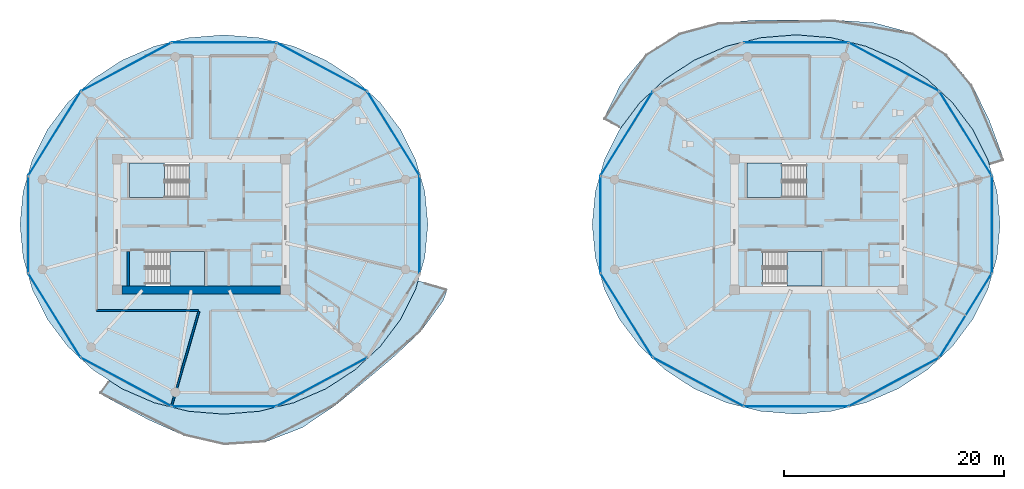
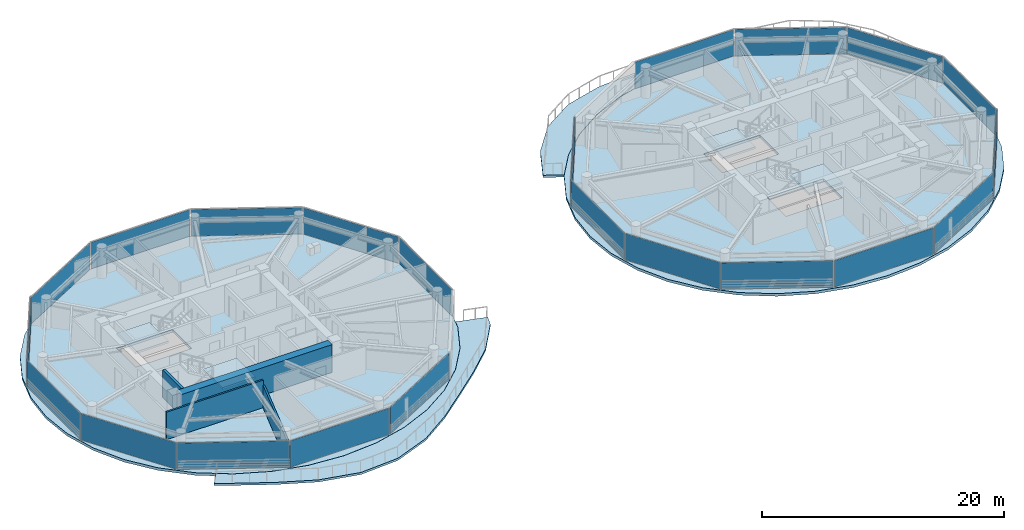
# One storey, part 12 of 24: 22 plates, 8 slabs, 4 walls, 26 elements without a shape of their own.
"""IFC4 building model written with IfcOpenShell, lengths in metres."""

from ifc_helpers import new_model, si_unit, direction, frame, frame_2d, origin, origin_2d, place, context, subcontext, project, spatial, polyline, rectangle, outline, extrude, source, transform, mapped, material, layer, layer_set, type_object, type_shapes, element, aggregate, save


model = new_model("IFC4")

# Units and contexts
model_context = context("Model", 3, precision=1e-05, world=origin(), true_north=direction((0.0, 1.0)))
body_context = subcontext(model_context, "Body", "Model", "MODEL_VIEW")
ifc_project = project(units=[si_unit("LENGTHUNIT", "METRE"), si_unit("AREAUNIT", "SQUARE_METRE"), si_unit("VOLUMEUNIT", "CUBIC_METRE"), si_unit("PLANEANGLEUNIT", "RADIAN"), si_unit("MASSUNIT", "GRAM", prefix="KILO")], contexts=[model_context])

# Site, building, storey
site_placement = place(None, origin())
site = spatial("IfcSite", under=ifc_project, at=site_placement, CompositionType="ELEMENT")
building_placement = place(site_placement, origin())
building = spatial("IfcBuilding", under=site, at=building_placement, Name="Norrkilde Senior Care Towers", CompositionType="ELEMENT")
storey_placement = place(building_placement, frame((0.0, 0.0, 114.550048828125)))
storey = spatial("IfcBuildingStorey", under=building, at=storey_placement, Name="L35", CompositionType="ELEMENT", Elevation=114.550048828125)

# Slabs
ifc_material_1 = material(Name="Concrete C50/60", Category="concrete")
ifc_layer_1 = layer(ifc_material_1, 0.215087890625)
ifc_layer_set_1 = layer_set([ifc_layer_1], Name="Concrete C50/60")
slab_type_1 = type_object("IfcSlabType", Name="Sinusoidal Balcony Ribbon Slab 215", PredefinedType="FLOOR", material=ifc_layer_set_1)
slab_1_placement = place(storey_placement, frame((0.0, 0.0, -0.215087890625)))
element("IfcSlab", 1, at=slab_1_placement, inside=storey, type_object=slab_type_1, Name="L35 Drum W Swirling Senior Balcony 1", PredefinedType="FLOOR", context=body_context, shape_type="SweptSolid", body=[
    extrude(outline(polyline([(-8.123291015625, -9.720947265625), (-10.641357421875, -12.08203125), (-13.220703125, -14.249755859375), (-15.878173828125, -16.426513671875), (-18.8564453125, -18.4267578125), (-22.27587890625, -19.75439453125), (-25.949951171875, -19.99609375), (-29.528076171875, -19.16845703125), (-32.798828125, -17.70361328125), (-35.83837890625, -16.085205078125), (-37.2705078125, -15.3095703125), (-36.39404296875, -14.124267578125), (-35.202392578125, -14.89990234375), (-32.279052734375, -16.16748046875), (-29.163330078125, -16.943603515625), (-25.949951171875, -17.205078125), (-22.736572265625, -16.943603515625), (-19.620849609375, -16.16748046875), (-16.697509765625, -14.89990234375), (-14.05517578125, -13.1796875), (-11.7744140625, -11.05908203125), (-9.92431640625, -8.6025390625), (-8.56103515625, -5.884521484375), (-8.334716796875, -5.099853515625), (-5.690673828125, -5.865234375), (-6.0341796875, -6.873779296875), (-8.123291015625, -9.720947265625)])), origin(), (0.0, 0.0, 1.0), 0.215087890625),
])
slab_2_placement = place(storey_placement, frame((0.0, 0.0, -0.215087890625)))
element("IfcSlab", 2, at=slab_2_placement, inside=storey, type_object=slab_type_1, Name="L35 Drum E Swirling Senior Balcony 1", PredefinedType="FLOOR", context=body_context, shape_type="SweptSolid", body=[
    extrude(outline(polyline([(12.303466796875, 15.425537109375), (15.37744140625, 17.359375), (18.8984375, 18.302978515625), (22.474365234375, 18.544189453125), (25.949951171875, 18.550048828125), (29.42578125, 18.544189453125), (33.001708984375, 18.302978515625), (36.5224609375, 17.359375), (39.5966796875, 15.425537109375), (41.896240234375, 12.6572265625), (43.447509765625, 9.5166015625), (44.602294921875, 6.379150390625), (44.802001953125, 5.80029296875), (43.48046875, 5.393798828125), (43.339111328125, 5.884521484375), (41.975830078125, 8.6025390625), (40.125732421875, 11.05908203125), (37.8447265625, 13.1796875), (35.202392578125, 14.89990234375), (32.279052734375, 16.16748046875), (29.163330078125, 16.943603515625), (25.949951171875, 17.205078125), (22.736572265625, 16.943603515625), (19.620849609375, 16.16748046875), (16.697509765625, 14.89990234375), (14.05517578125, 13.1796875), (11.7744140625, 11.05908203125), (10.009033203125, 8.715087890625), (8.4716796875, 9.5556640625), (10.00390625, 12.6572265625), (12.303466796875, 15.425537109375)])), origin(), (0.0, 0.0, 1.0), 0.215087890625),
])

# Stair, slab
ifc_material_2 = material(Name="Concrete C45/55", Category="concrete")
stair_type = type_object("IfcStairType", Name="Core Protected Dogleg Stair Typical 3050", PredefinedType="HALF_TURN_STAIR", material=ifc_material_2)
stair_1_placement = place(storey_placement, origin())
stair_1 = element("IfcStair", 3, at=stair_1_placement, inside=storey, type_object=stair_type, Name="L35 Protected Core Stair W1", PredefinedType="HALF_TURN_STAIR")
ifc_layer_2 = layer(ifc_material_2, 0.199951171875)
ifc_layer_set_2 = layer_set([ifc_layer_2], Name="Concrete C45/55")
slab_type_2 = type_object("IfcSlabType", Name="Stair Landing Slab 200", PredefinedType="LANDING", material=ifc_layer_set_2)
slab_3_placement = place(storey_placement, frame((0.0, 0.0, 1.324951171875)))
slab_3 = element("IfcSlab", 4, at=slab_3_placement, type_object=slab_type_2, Name="ST-W1 landing 1", PredefinedType="LANDING", context=body_context, shape_type="SweptSolid", body=[
    extrude(outline(polyline([(-31.340087890625, 5.590087890625), (-34.5, 5.590087890625), (-34.5, 2.449951171875), (-31.340087890625, 2.449951171875), (-31.340087890625, 5.590087890625)])), origin(), (0.0, 0.0, 1.0), 0.199951171875),
])
aggregate(stair_1, [slab_3])

stair_2_placement = place(storey_placement, origin())
stair_2 = element("IfcStair", 5, at=stair_2_placement, inside=storey, type_object=stair_type, Name="L35 Protected Core Stair W2", PredefinedType="HALF_TURN_STAIR")
slab_4_placement = place(storey_placement, frame((0.0, 0.0, 1.324951171875)))
slab_4 = element("IfcSlab", 6, at=slab_4_placement, type_object=slab_type_2, Name="ST-W2 landing 1", PredefinedType="LANDING", context=body_context, shape_type="SweptSolid", body=[
    extrude(outline(polyline([(-30.860107421875, -5.590087890625), (-27.699951171875, -5.590087890625), (-27.699951171875, -2.449951171875), (-30.860107421875, -2.449951171875), (-30.860107421875, -5.590087890625)])), origin(), (0.0, 0.0, 1.0), 0.199951171875),
])
aggregate(stair_2, [slab_4])

stair_3_placement = place(storey_placement, origin())
stair_3 = element("IfcStair", 7, at=stair_3_placement, inside=storey, type_object=stair_type, Name="L35 Protected Core Stair E1", PredefinedType="HALF_TURN_STAIR")
slab_5_placement = place(storey_placement, frame((0.0, 0.0, 1.324951171875)))
slab_5 = element("IfcSlab", 8, at=slab_5_placement, type_object=slab_type_2, Name="ST-E1 landing 1", PredefinedType="LANDING", context=body_context, shape_type="SweptSolid", body=[
    extrude(outline(polyline([(24.659912109375, 5.590087890625), (21.5, 5.590087890625), (21.5, 2.449951171875), (24.659912109375, 2.449951171875), (24.659912109375, 5.590087890625)])), origin(), (0.0, 0.0, 1.0), 0.199951171875),
])
aggregate(stair_3, [slab_5])

stair_4_placement = place(storey_placement, origin())
stair_4 = element("IfcStair", 9, at=stair_4_placement, inside=storey, type_object=stair_type, Name="L35 Protected Core Stair E2", PredefinedType="HALF_TURN_STAIR")
slab_6_placement = place(storey_placement, frame((0.0, 0.0, 1.324951171875)))
slab_6 = element("IfcSlab", 10, at=slab_6_placement, type_object=slab_type_2, Name="ST-E2 landing 1", PredefinedType="LANDING", context=body_context, shape_type="SweptSolid", body=[
    extrude(outline(polyline([(25.139892578125, -5.590087890625), (28.300048828125, -5.590087890625), (28.300048828125, -2.449951171875), (25.139892578125, -2.449951171875), (25.139892578125, -5.590087890625)])), origin(), (0.0, 0.0, 1.0), 0.199951171875),
])
aggregate(stair_4, [slab_6])

# Slabs
ifc_layer_3 = layer(ifc_material_1, 0.260009765625)
ifc_layer_set_3 = layer_set([ifc_layer_3], Name="Concrete C50/60")
slab_type_3 = type_object("IfcSlabType", Name="Tower Care Floor Slab 260", PredefinedType="FLOOR", material=ifc_layer_set_3)
slab_7_placement = place(storey_placement, frame((0.0, 0.0, -0.260009765625)))
element("IfcSlab", 11, at=slab_7_placement, inside=storey, type_object=slab_type_3, Name="L35 Drum W Structural Floor Slab", PredefinedType="FLOOR", context=body_context, shape_type="SweptSolid", body=[
    extrude(outline(polyline([(-8.565673828125, -5.8828125), (-9.928466796875, -8.60009765625), (-11.778076171875, -11.055908203125), (-14.058349609375, -13.176025390625), (-16.699951171875, -14.895751953125), (-19.62255859375, -16.16259765625), (-22.737548828125, -16.938720703125), (-25.949951171875, -17.199951171875), (-29.16259765625, -16.938720703125), (-32.27734375, -16.16259765625), (-35.199951171875, -14.895751953125), (-37.841552734375, -13.176025390625), (-40.121826171875, -11.055908203125), (-41.971435546875, -8.60009765625), (-43.334228515625, -5.8828125), (-44.1689453125, -2.98681640625), (-44.449951171875, 0.0), (-44.1689453125, 2.98681640625), (-43.334228515625, 5.8828125), (-41.971435546875, 8.60009765625), (-40.121826171875, 11.055908203125), (-37.841552734375, 13.176025390625), (-35.199951171875, 14.895751953125), (-32.27734375, 16.16259765625), (-29.16259765625, 16.938720703125), (-25.949951171875, 17.199951171875), (-22.737548828125, 16.938720703125), (-19.62255859375, 16.16259765625), (-16.699951171875, 14.895751953125), (-14.058349609375, 13.176025390625), (-11.778076171875, 11.055908203125), (-9.928466796875, 8.60009765625), (-8.565673828125, 5.8828125), (-7.73095703125, 2.98681640625), (-7.449951171875, 0.0), (-7.73095703125, -2.98681640625), (-8.565673828125, -5.8828125)]), holes=[polyline([(-34.48193359375, 2.468017578125), (-29.117919921875, 2.468017578125), (-29.117919921875, 5.590087890625), (-34.48193359375, 5.590087890625), (-34.48193359375, 2.468017578125)]), polyline([(-27.718017578125, -5.590087890625), (-27.718017578125, -2.468017578125), (-33.08203125, -2.468017578125), (-33.08203125, -5.590087890625), (-27.718017578125, -5.590087890625)])]), origin(), (0.0, 0.0, 1.0), 0.260009765625),
])
slab_8_placement = place(storey_placement, frame((0.0, 0.0, -0.260009765625)))
element("IfcSlab", 12, at=slab_8_placement, inside=storey, type_object=slab_type_3, Name="L35 Drum E Structural Floor Slab", PredefinedType="FLOOR", context=body_context, shape_type="SweptSolid", body=[
    extrude(outline(polyline([(43.334228515625, -5.8828125), (41.971435546875, -8.60009765625), (40.121826171875, -11.055908203125), (37.841552734375, -13.176025390625), (35.199951171875, -14.895751953125), (32.27734375, -16.16259765625), (29.16259765625, -16.938720703125), (25.949951171875, -17.199951171875), (22.737548828125, -16.938720703125), (19.62255859375, -16.16259765625), (16.699951171875, -14.895751953125), (14.058349609375, -13.176025390625), (11.778076171875, -11.055908203125), (9.928466796875, -8.60009765625), (8.565673828125, -5.8828125), (7.73095703125, -2.98681640625), (7.449951171875, 0.0), (7.73095703125, 2.98681640625), (8.565673828125, 5.8828125), (9.928466796875, 8.60009765625), (11.778076171875, 11.055908203125), (14.058349609375, 13.176025390625), (16.699951171875, 14.895751953125), (19.62255859375, 16.16259765625), (22.737548828125, 16.938720703125), (25.949951171875, 17.199951171875), (29.16259765625, 16.938720703125), (32.27734375, 16.16259765625), (35.199951171875, 14.895751953125), (37.841552734375, 13.176025390625), (40.121826171875, 11.055908203125), (41.971435546875, 8.60009765625), (43.334228515625, 5.8828125), (44.1689453125, 2.98681640625), (44.449951171875, 0.0), (44.1689453125, -2.98681640625), (43.334228515625, -5.8828125)]), holes=[polyline([(21.51806640625, 2.468017578125), (26.882080078125, 2.468017578125), (26.882080078125, 5.590087890625), (21.51806640625, 5.590087890625), (21.51806640625, 2.468017578125)]), polyline([(28.281982421875, -5.590087890625), (28.281982421875, -2.468017578125), (22.91796875, -2.468017578125), (22.91796875, -5.590087890625), (28.281982421875, -5.590087890625)])]), origin(), (0.0, 0.0, 1.0), 0.260009765625),
])

# Curtain wall, plate
ifc_material_3 = material(Name="Triple Low-E Insulated Glazing", Category="glass")
ifc_layer_4 = layer(ifc_material_3, 0.195068359375)
ifc_layer_set_4 = layer_set([ifc_layer_4], Name="Triple Low-E Insulated Glazing")
curtain_wall_type = type_object("IfcCurtainWallType", Name="CW3 Zone 2 Assisted Living Curtain Wall", PredefinedType="NOTDEFINED", material=ifc_layer_set_4)
curtain_wall_1_placement = place(storey_placement, origin())
curtain_wall_1 = element("IfcCurtainWall", 13, at=curtain_wall_1_placement, inside=storey, type_object=curtain_wall_type, Name="L35 Drum W Curtain Wall 00", PredefinedType="NOTDEFINED")
ifc_layer_5 = layer(ifc_material_3, 0.035888671875)
ifc_layer_set_5 = layer_set([ifc_layer_5], Name="Triple Low-E Insulated Glazing")
plate_type = type_object("IfcPlateType", Name="Triple Low-E Vision Curtain Panel 36", PredefinedType="CURTAIN_PANEL", material=ifc_layer_set_5)
shared_shape_1 = source(origin(), body_context, "Body", "SweptSolid", [
    extrude(rectangle(XDim=8.88427734375, YDim=0.035888671875, at=origin_2d()), origin(), (0.0, 0.0, 1.0), 2.669921875),
])
plate_1_placement = place(storey_placement, frame((-10.574951171875, 8.2490234375, 0.06005859375), z_axis=(0.0, 0.0, 1.0), x_axis=(0.527733228002, -0.849410171862, 0.0)))
plate_1 = element("IfcPlate", 14, at=plate_1_placement, type_object=plate_type, Name="CW-3 panel 1.1", PredefinedType="CURTAIN_PANEL", context=body_context, shape_type="MappedRepresentation", body=[
    mapped(shared_shape_1, transform((0.0, 0.0, 0.0), x_axis=(1.0, 0.0, 0.0), y_axis=(0.0, 1.0, 0.0), z_axis=(0.0, 0.0, 1.0), scale=1.0)),
])
aggregate(curtain_wall_1, [plate_1])

curtain_wall_2_placement = place(storey_placement, origin())
curtain_wall_2 = element("IfcCurtainWall", 15, at=curtain_wall_2_placement, inside=storey, type_object=curtain_wall_type, Name="L35 Drum W Curtain Wall 04", PredefinedType="NOTDEFINED")
plate_2_placement = place(storey_placement, frame((-41.3251953125, 8.2490234375, 0.06005859375), z_axis=(0.0, 0.0, 1.0), x_axis=(0.527733228002, 0.849410171862, 0.0)))
plate_2 = element("IfcPlate", 16, at=plate_2_placement, type_object=plate_type, Name="CW-3 panel 1.1", PredefinedType="CURTAIN_PANEL", context=body_context, shape_type="MappedRepresentation", body=[
    mapped(shared_shape_1, transform((0.0, 0.0, 0.0), x_axis=(1.0, 0.0, 0.0), y_axis=(0.0, 1.0, 0.0), z_axis=(0.0, 0.0, 1.0), scale=1.0)),
])
aggregate(curtain_wall_2, [plate_2])

curtain_wall_3_placement = place(storey_placement, origin())
curtain_wall_3 = element("IfcCurtainWall", 17, at=curtain_wall_3_placement, inside=storey, type_object=curtain_wall_type, Name="L35 Drum W Curtain Wall 06", PredefinedType="NOTDEFINED")
plate_3_placement = place(storey_placement, frame((-41.3251953125, -8.2490234375, 0.06005859375), z_axis=(0.0, 0.0, 1.0), x_axis=(-0.527733228002, 0.849410171862, 0.0)))
plate_3 = element("IfcPlate", 18, at=plate_3_placement, type_object=plate_type, Name="CW-3 panel 1.1", PredefinedType="CURTAIN_PANEL", context=body_context, shape_type="MappedRepresentation", body=[
    mapped(shared_shape_1, transform((0.0, 0.0, 0.0), x_axis=(1.0, 0.0, 0.0), y_axis=(0.0, 1.0, 0.0), z_axis=(0.0, 0.0, 1.0), scale=1.0)),
])
aggregate(curtain_wall_3, [plate_3])

curtain_wall_4_placement = place(storey_placement, origin())
curtain_wall_4 = element("IfcCurtainWall", 19, at=curtain_wall_4_placement, inside=storey, type_object=curtain_wall_type, Name="L35 Drum E Curtain Wall 00", PredefinedType="NOTDEFINED")
plate_4_placement = place(storey_placement, frame((41.3251953125, 8.2490234375, 0.06005859375), z_axis=(0.0, 0.0, 1.0), x_axis=(0.527733228002, -0.849410171862, 0.0)))
plate_4 = element("IfcPlate", 20, at=plate_4_placement, type_object=plate_type, Name="CW-3 panel 1.1", PredefinedType="CURTAIN_PANEL", context=body_context, shape_type="MappedRepresentation", body=[
    mapped(shared_shape_1, transform((0.0, 0.0, 0.0), x_axis=(1.0, 0.0, 0.0), y_axis=(0.0, 1.0, 0.0), z_axis=(0.0, 0.0, 1.0), scale=1.0)),
])
aggregate(curtain_wall_4, [plate_4])

curtain_wall_5_placement = place(storey_placement, origin())
curtain_wall_5 = element("IfcCurtainWall", 21, at=curtain_wall_5_placement, inside=storey, type_object=curtain_wall_type, Name="L35 Drum E Curtain Wall 04", PredefinedType="NOTDEFINED")
plate_5_placement = place(storey_placement, frame((10.574951171875, 8.2490234375, 0.06005859375), z_axis=(0.0, 0.0, 1.0), x_axis=(0.527733228002, 0.849410171862, 0.0)))
plate_5 = element("IfcPlate", 22, at=plate_5_placement, type_object=plate_type, Name="CW-3 panel 1.1", PredefinedType="CURTAIN_PANEL", context=body_context, shape_type="MappedRepresentation", body=[
    mapped(shared_shape_1, transform((0.0, 0.0, 0.0), x_axis=(1.0, 0.0, 0.0), y_axis=(0.0, 1.0, 0.0), z_axis=(0.0, 0.0, 1.0), scale=1.0)),
])
aggregate(curtain_wall_5, [plate_5])

curtain_wall_6_placement = place(storey_placement, origin())
curtain_wall_6 = element("IfcCurtainWall", 23, at=curtain_wall_6_placement, inside=storey, type_object=curtain_wall_type, Name="L35 Drum E Curtain Wall 06", PredefinedType="NOTDEFINED")
plate_6_placement = place(storey_placement, frame((10.574951171875, -8.2490234375, 0.06005859375), z_axis=(0.0, 0.0, 1.0), x_axis=(-0.527733228002, 0.849410171862, 0.0)))
plate_6 = element("IfcPlate", 24, at=plate_6_placement, type_object=plate_type, Name="CW-3 panel 1.1", PredefinedType="CURTAIN_PANEL", context=body_context, shape_type="MappedRepresentation", body=[
    mapped(shared_shape_1, transform((0.0, 0.0, 0.0), x_axis=(1.0, 0.0, 0.0), y_axis=(0.0, 1.0, 0.0), z_axis=(0.0, 0.0, 1.0), scale=1.0)),
])
aggregate(curtain_wall_6, [plate_6])

curtain_wall_7_placement = place(storey_placement, origin())
curtain_wall_7 = element("IfcCurtainWall", 25, at=curtain_wall_7_placement, inside=storey, type_object=curtain_wall_type, Name="L35 Drum E Curtain Wall 10", PredefinedType="NOTDEFINED")
plate_7_placement = place(storey_placement, frame((41.3251953125, -8.2490234375, 0.06005859375), z_axis=(0.0, 0.0, 1.0), x_axis=(-0.527733228002, -0.849410171862, 0.0)))
plate_7 = element("IfcPlate", 26, at=plate_7_placement, type_object=plate_type, Name="CW-3 panel 1.1", PredefinedType="CURTAIN_PANEL", context=body_context, shape_type="MappedRepresentation", body=[
    mapped(shared_shape_1, transform((0.0, 0.0, 0.0), x_axis=(1.0, 0.0, 0.0), y_axis=(0.0, 1.0, 0.0), z_axis=(0.0, 0.0, 1.0), scale=1.0)),
])
aggregate(curtain_wall_7, [plate_7])

curtain_wall_8_placement = place(storey_placement, origin())
curtain_wall_8 = element("IfcCurtainWall", 27, at=curtain_wall_8_placement, inside=storey, type_object=curtain_wall_type, Name="L35 Drum W Curtain Wall 01", PredefinedType="NOTDEFINED")
shared_shape_2 = source(origin(), body_context, "Body", "SweptSolid", [
    extrude(rectangle(XDim=9.220458984375, YDim=0.035888671875, at=origin_2d()), origin(), (0.0, 0.0, 1.0), 2.669921875),
])
plate_8_placement = place(storey_placement, frame((-17.0732421875, 14.28759765625, 0.06005859375), z_axis=(0.0, 0.0, 1.0), x_axis=(0.881186184668, -0.472769402511, 0.0)))
plate_8 = element("IfcPlate", 28, at=plate_8_placement, type_object=plate_type, Name="CW-3 panel 1.1", PredefinedType="CURTAIN_PANEL", context=body_context, shape_type="MappedRepresentation", body=[
    mapped(shared_shape_2, transform((0.0, 0.0, 0.0), x_axis=(1.0, 0.0, 0.0), y_axis=(0.0, 1.0, 0.0), z_axis=(0.0, 0.0, 1.0), scale=1.0)),
])
aggregate(curtain_wall_8, [plate_8])

curtain_wall_9_placement = place(storey_placement, origin())
curtain_wall_9 = element("IfcCurtainWall", 29, at=curtain_wall_9_placement, inside=storey, type_object=curtain_wall_type, Name="L35 Drum W Curtain Wall 03", PredefinedType="NOTDEFINED")
plate_9_placement = place(storey_placement, frame((-34.826904296875, 14.28759765625, 0.06005859375), z_axis=(0.0, 0.0, 1.0), x_axis=(0.881186184668, 0.472769402511, 0.0)))
plate_9 = element("IfcPlate", 30, at=plate_9_placement, type_object=plate_type, Name="CW-3 panel 1.1", PredefinedType="CURTAIN_PANEL", context=body_context, shape_type="MappedRepresentation", body=[
    mapped(shared_shape_2, transform((0.0, 0.0, 0.0), x_axis=(1.0, 0.0, 0.0), y_axis=(0.0, 1.0, 0.0), z_axis=(0.0, 0.0, 1.0), scale=1.0)),
])
aggregate(curtain_wall_9, [plate_9])

curtain_wall_10_placement = place(storey_placement, origin())
curtain_wall_10 = element("IfcCurtainWall", 31, at=curtain_wall_10_placement, inside=storey, type_object=curtain_wall_type, Name="L35 Drum W Curtain Wall 07", PredefinedType="NOTDEFINED")
plate_10_placement = place(storey_placement, frame((-34.826904296875, -14.28759765625, 0.06005859375), z_axis=(0.0, 0.0, 1.0), x_axis=(-0.881186184668, 0.472769402511, 0.0)))
plate_10 = element("IfcPlate", 32, at=plate_10_placement, type_object=plate_type, Name="CW-3 panel 1.1", PredefinedType="CURTAIN_PANEL", context=body_context, shape_type="MappedRepresentation", body=[
    mapped(shared_shape_2, transform((0.0, 0.0, 0.0), x_axis=(1.0, 0.0, 0.0), y_axis=(0.0, 1.0, 0.0), z_axis=(0.0, 0.0, 1.0), scale=1.0)),
])
aggregate(curtain_wall_10, [plate_10])

curtain_wall_11_placement = place(storey_placement, origin())
curtain_wall_11 = element("IfcCurtainWall", 33, at=curtain_wall_11_placement, inside=storey, type_object=curtain_wall_type, Name="L35 Drum W Curtain Wall 09", PredefinedType="NOTDEFINED")
plate_11_placement = place(storey_placement, frame((-17.0732421875, -14.28759765625, 0.06005859375), z_axis=(0.0, 0.0, 1.0), x_axis=(-0.881186184668, -0.472769402511, 0.0)))
plate_11 = element("IfcPlate", 34, at=plate_11_placement, type_object=plate_type, Name="CW-3 panel 1.1", PredefinedType="CURTAIN_PANEL", context=body_context, shape_type="MappedRepresentation", body=[
    mapped(shared_shape_2, transform((0.0, 0.0, 0.0), x_axis=(1.0, 0.0, 0.0), y_axis=(0.0, 1.0, 0.0), z_axis=(0.0, 0.0, 1.0), scale=1.0)),
])
aggregate(curtain_wall_11, [plate_11])

curtain_wall_12_placement = place(storey_placement, origin())
curtain_wall_12 = element("IfcCurtainWall", 35, at=curtain_wall_12_placement, inside=storey, type_object=curtain_wall_type, Name="L35 Drum E Curtain Wall 01", PredefinedType="NOTDEFINED")
plate_12_placement = place(storey_placement, frame((34.826904296875, 14.28759765625, 0.06005859375), z_axis=(0.0, 0.0, 1.0), x_axis=(0.881186184668, -0.472769402511, 0.0)))
plate_12 = element("IfcPlate", 36, at=plate_12_placement, type_object=plate_type, Name="CW-3 panel 1.1", PredefinedType="CURTAIN_PANEL", context=body_context, shape_type="MappedRepresentation", body=[
    mapped(shared_shape_2, transform((0.0, 0.0, 0.0), x_axis=(1.0, 0.0, 0.0), y_axis=(0.0, 1.0, 0.0), z_axis=(0.0, 0.0, 1.0), scale=1.0)),
])
aggregate(curtain_wall_12, [plate_12])

curtain_wall_13_placement = place(storey_placement, origin())
curtain_wall_13 = element("IfcCurtainWall", 37, at=curtain_wall_13_placement, inside=storey, type_object=curtain_wall_type, Name="L35 Drum E Curtain Wall 07", PredefinedType="NOTDEFINED")
plate_13_placement = place(storey_placement, frame((17.0732421875, -14.28759765625, 0.06005859375), z_axis=(0.0, 0.0, 1.0), x_axis=(-0.881186184668, 0.472769402511, 0.0)))
plate_13 = element("IfcPlate", 38, at=plate_13_placement, type_object=plate_type, Name="CW-3 panel 1.1", PredefinedType="CURTAIN_PANEL", context=body_context, shape_type="MappedRepresentation", body=[
    mapped(shared_shape_2, transform((0.0, 0.0, 0.0), x_axis=(1.0, 0.0, 0.0), y_axis=(0.0, 1.0, 0.0), z_axis=(0.0, 0.0, 1.0), scale=1.0)),
])
aggregate(curtain_wall_13, [plate_13])

curtain_wall_14_placement = place(storey_placement, origin())
curtain_wall_14 = element("IfcCurtainWall", 39, at=curtain_wall_14_placement, inside=storey, type_object=curtain_wall_type, Name="L35 Drum E Curtain Wall 09", PredefinedType="NOTDEFINED")
plate_14_placement = place(storey_placement, frame((34.826904296875, -14.28759765625, 0.06005859375), z_axis=(0.0, 0.0, 1.0), x_axis=(-0.881186184668, -0.472769402511, 0.0)))
plate_14 = element("IfcPlate", 40, at=plate_14_placement, type_object=plate_type, Name="CW-3 panel 1.1", PredefinedType="CURTAIN_PANEL", context=body_context, shape_type="MappedRepresentation", body=[
    mapped(shared_shape_2, transform((0.0, 0.0, 0.0), x_axis=(1.0, 0.0, 0.0), y_axis=(0.0, 1.0, 0.0), z_axis=(0.0, 0.0, 1.0), scale=1.0)),
])
aggregate(curtain_wall_14, [plate_14])

curtain_wall_15_placement = place(storey_placement, origin())
curtain_wall_15 = element("IfcCurtainWall", 41, at=curtain_wall_15_placement, inside=storey, type_object=curtain_wall_type, Name="L35 Drum W Curtain Wall 02", PredefinedType="NOTDEFINED")
shared_shape_3 = source(origin(), body_context, "Body", "SweptSolid", [
    extrude(rectangle(XDim=9.38427734375, YDim=0.035888671875, at=origin_2d()), origin(), (0.0, 0.0, 1.0), 2.669921875),
])
plate_15_placement = place(storey_placement, frame((-25.949951171875, 16.498046875, 0.06005859375), z_axis=(0.0, 0.0, 1.0), x_axis=(1.0, 0.0, 0.0)))
plate_15 = element("IfcPlate", 42, at=plate_15_placement, type_object=plate_type, Name="CW-3 panel 1.1", PredefinedType="CURTAIN_PANEL", context=body_context, shape_type="MappedRepresentation", body=[
    mapped(shared_shape_3, transform((0.0, 0.0, 0.0), x_axis=(1.0, 0.0, 0.0), y_axis=(0.0, 1.0, 0.0), z_axis=(0.0, 0.0, 1.0), scale=1.0)),
])
aggregate(curtain_wall_15, [plate_15])

curtain_wall_16_placement = place(storey_placement, origin())
curtain_wall_16 = element("IfcCurtainWall", 43, at=curtain_wall_16_placement, inside=storey, type_object=curtain_wall_type, Name="L35 Drum W Curtain Wall 08", PredefinedType="NOTDEFINED")
plate_16_placement = place(storey_placement, frame((-25.949951171875, -16.498046875, 0.06005859375), z_axis=(0.0, 0.0, 1.0), x_axis=(-1.0, 0.0, 0.0)))
plate_16 = element("IfcPlate", 44, at=plate_16_placement, type_object=plate_type, Name="CW-3 panel 1.1", PredefinedType="CURTAIN_PANEL", context=body_context, shape_type="MappedRepresentation", body=[
    mapped(shared_shape_3, transform((0.0, 0.0, 0.0), x_axis=(1.0, 0.0, 0.0), y_axis=(0.0, 1.0, 0.0), z_axis=(0.0, 0.0, 1.0), scale=1.0)),
])
aggregate(curtain_wall_16, [plate_16])

curtain_wall_17_placement = place(storey_placement, origin())
curtain_wall_17 = element("IfcCurtainWall", 45, at=curtain_wall_17_placement, inside=storey, type_object=curtain_wall_type, Name="L35 Drum E Curtain Wall 02", PredefinedType="NOTDEFINED")
plate_17_placement = place(storey_placement, frame((25.949951171875, 16.498046875, 0.06005859375), z_axis=(0.0, 0.0, 1.0), x_axis=(1.0, 0.0, 0.0)))
plate_17 = element("IfcPlate", 46, at=plate_17_placement, type_object=plate_type, Name="CW-3 panel 1.1", PredefinedType="CURTAIN_PANEL", context=body_context, shape_type="MappedRepresentation", body=[
    mapped(shared_shape_3, transform((0.0, 0.0, 0.0), x_axis=(1.0, 0.0, 0.0), y_axis=(0.0, 1.0, 0.0), z_axis=(0.0, 0.0, 1.0), scale=1.0)),
])
aggregate(curtain_wall_17, [plate_17])

curtain_wall_18_placement = place(storey_placement, origin())
curtain_wall_18 = element("IfcCurtainWall", 47, at=curtain_wall_18_placement, inside=storey, type_object=curtain_wall_type, Name="L35 Drum E Curtain Wall 08", PredefinedType="NOTDEFINED")
plate_18_placement = place(storey_placement, frame((25.949951171875, -16.498046875, 0.06005859375), z_axis=(0.0, 0.0, 1.0), x_axis=(-1.0, 0.0, 0.0)))
plate_18 = element("IfcPlate", 48, at=plate_18_placement, type_object=plate_type, Name="CW-3 panel 1.1", PredefinedType="CURTAIN_PANEL", context=body_context, shape_type="MappedRepresentation", body=[
    mapped(shared_shape_3, transform((0.0, 0.0, 0.0), x_axis=(1.0, 0.0, 0.0), y_axis=(0.0, 1.0, 0.0), z_axis=(0.0, 0.0, 1.0), scale=1.0)),
])
aggregate(curtain_wall_18, [plate_18])

curtain_wall_19_placement = place(storey_placement, origin())
curtain_wall_19 = element("IfcCurtainWall", 49, at=curtain_wall_19_placement, inside=storey, type_object=curtain_wall_type, Name="L35 Drum W Curtain Wall 05", PredefinedType="NOTDEFINED")
shared_shape_4 = source(origin(), body_context, "Body", "SweptSolid", [
    extrude(rectangle(XDim=8.711181640625, YDim=0.035888671875, at=origin_2d()), origin(), (0.0, 0.0, 1.0), 2.669921875),
])
type_shapes(plate_type, [shared_shape_1, shared_shape_2, shared_shape_3, shared_shape_4])
plate_19_placement = place(storey_placement, frame((-43.70361328125, 0.0, 0.06005859375), z_axis=(0.0, 0.0, 1.0), x_axis=(0.0, 1.0, 0.0)))
plate_19 = element("IfcPlate", 50, at=plate_19_placement, type_object=plate_type, Name="CW-3 panel 1.1", PredefinedType="CURTAIN_PANEL", context=body_context, shape_type="MappedRepresentation", body=[
    mapped(shared_shape_4, transform((0.0, 0.0, 0.0), x_axis=(1.0, 0.0, 0.0), y_axis=(0.0, 1.0, 0.0), z_axis=(0.0, 0.0, 1.0), scale=1.0)),
])
aggregate(curtain_wall_19, [plate_19])

curtain_wall_20_placement = place(storey_placement, origin())
curtain_wall_20 = element("IfcCurtainWall", 51, at=curtain_wall_20_placement, inside=storey, type_object=curtain_wall_type, Name="L35 Drum W Curtain Wall 11", PredefinedType="NOTDEFINED")
plate_20_placement = place(storey_placement, frame((-8.1962890625, 0.0, 0.06005859375), z_axis=(0.0, 0.0, 1.0), x_axis=(0.0, -1.0, 0.0)))
plate_20 = element("IfcPlate", 52, at=plate_20_placement, type_object=plate_type, Name="CW-3 panel 1.1", PredefinedType="CURTAIN_PANEL", context=body_context, shape_type="MappedRepresentation", body=[
    mapped(shared_shape_4, transform((0.0, 0.0, 0.0), x_axis=(1.0, 0.0, 0.0), y_axis=(0.0, 1.0, 0.0), z_axis=(0.0, 0.0, 1.0), scale=1.0)),
])
aggregate(curtain_wall_20, [plate_20])

curtain_wall_21_placement = place(storey_placement, origin())
curtain_wall_21 = element("IfcCurtainWall", 53, at=curtain_wall_21_placement, inside=storey, type_object=curtain_wall_type, Name="L35 Drum E Curtain Wall 05", PredefinedType="NOTDEFINED")
plate_21_placement = place(storey_placement, frame((8.1962890625, 0.0, 0.06005859375), z_axis=(0.0, 0.0, 1.0), x_axis=(0.0, 1.0, 0.0)))
plate_21 = element("IfcPlate", 54, at=plate_21_placement, type_object=plate_type, Name="CW-3 panel 1.1", PredefinedType="CURTAIN_PANEL", context=body_context, shape_type="MappedRepresentation", body=[
    mapped(shared_shape_4, transform((0.0, 0.0, 0.0), x_axis=(1.0, 0.0, 0.0), y_axis=(0.0, 1.0, 0.0), z_axis=(0.0, 0.0, 1.0), scale=1.0)),
])
aggregate(curtain_wall_21, [plate_21])

curtain_wall_22_placement = place(storey_placement, origin())
curtain_wall_22 = element("IfcCurtainWall", 55, at=curtain_wall_22_placement, inside=storey, type_object=curtain_wall_type, Name="L35 Drum E Curtain Wall 11", PredefinedType="NOTDEFINED")
plate_22_placement = place(storey_placement, frame((43.70361328125, 0.0, 0.06005859375), z_axis=(0.0, 0.0, 1.0), x_axis=(0.0, -1.0, 0.0)))
plate_22 = element("IfcPlate", 56, at=plate_22_placement, type_object=plate_type, Name="CW-3 panel 1.1", PredefinedType="CURTAIN_PANEL", context=body_context, shape_type="MappedRepresentation", body=[
    mapped(shared_shape_4, transform((0.0, 0.0, 0.0), x_axis=(1.0, 0.0, 0.0), y_axis=(0.0, 1.0, 0.0), z_axis=(0.0, 0.0, 1.0), scale=1.0)),
])
aggregate(curtain_wall_22, [plate_22])

# Walls
ifc_material_4 = material(Name="Concrete C60/75", Category="concrete")
ifc_layer_6 = layer(ifc_material_4, 0.719970703125)
ifc_layer_set_6 = layer_set([ifc_layer_6], Name="Concrete C60/75")
wall_type_1 = type_object("IfcWallType", Name="Core Shear Wall Z2 720", PredefinedType="SHEAR", material=ifc_layer_set_6)
shared_shape_5 = source(origin(), body_context, "Body", "SweptSolid", [
    extrude(rectangle(XDim=14.39990234375, YDim=0.719970703125, at=frame_2d((7.199951171875, 0.0))), origin(), (0.0, 0.0, 1.0), 2.7900390625),
])
type_shapes(wall_type_1, [shared_shape_5])
wall_1_placement = place(storey_placement, frame((-20.800048828125, -5.949951171875, 0.0), z_axis=(0.0, 0.0, 1.0), x_axis=(-1.0, 0.0, 0.0)))
element("IfcWall", 57, at=wall_1_placement, inside=storey, type_object=wall_type_1, Name="L35 Core W South Shear Wall", PredefinedType="SHEAR", context=body_context, shape_type="MappedRepresentation", body=[
    mapped(shared_shape_5, transform((0.0, 0.0, 0.0), x_axis=(1.0, 0.0, 0.0), y_axis=(0.0, 1.0, 0.0), z_axis=(0.0, 0.0, 1.0), scale=1.0)),
])
ifc_layer_7 = layer(ifc_material_2, 0.239990234375)
ifc_layer_set_7 = layer_set([ifc_layer_7], Name="Concrete C45/55")
wall_type_2 = type_object("IfcWallType", Name="Shaft and Stair Enclosure Wall 240", PredefinedType="PARTITIONING", material=ifc_layer_set_7)
shared_shape_6 = source(origin(), body_context, "Body", "SweptSolid", [
    extrude(rectangle(XDim=3.14013671875, YDim=0.239990234375, at=frame_2d((1.570068359375, 0.0))), origin(), (0.0, 0.0, 1.0), 2.7900390625),
])
type_shapes(wall_type_2, [shared_shape_6])
wall_2_placement = place(storey_placement, frame((-34.6201171875, -5.590087890625, 0.0), z_axis=(0.0, 0.0, 1.0), x_axis=(0.0, 1.0, 0.0)))
element("IfcWall", 58, at=wall_2_placement, inside=storey, type_object=wall_type_2, Name="WL-INT-L35-W-ST2W", PredefinedType="PARTITIONING", context=body_context, shape_type="MappedRepresentation", body=[
    mapped(shared_shape_6, transform((0.0, 0.0, 0.0), x_axis=(1.0, 0.0, 0.0), y_axis=(0.0, 1.0, 0.0), z_axis=(0.0, 0.0, 1.0), scale=1.0)),
])
ifc_material_5 = material(Name="Gypsum Acoustic Board")
ifc_layer_8 = layer(ifc_material_5, 0.1650390625)
ifc_layer_set_8 = layer_set([ifc_layer_8], Name="Gypsum Acoustic Board")
wall_type_3 = type_object("IfcWallType", Name="Corridor Rated Partition 165", PredefinedType="PARTITIONING", material=ifc_layer_set_8)
shared_shape_7 = source(origin(), body_context, "Body", "SweptSolid", [
    extrude(rectangle(XDim=9.234130859375, YDim=0.1650390625, at=frame_2d((4.6171875, 0.0))), origin(), (0.0, 0.0, 1.0), 2.77490234375),
])
wall_3_placement = place(storey_placement, frame((-28.265869140625, -7.800048828125, 0.0), z_axis=(0.0, 0.0, 1.0), x_axis=(-1.0, 0.0, 0.0)))
element("IfcWall", 59, at=wall_3_placement, inside=storey, type_object=wall_type_3, Name="WL-INT-L35-W-CRW-S-1", PredefinedType="PARTITIONING", context=body_context, shape_type="MappedRepresentation", body=[
    mapped(shared_shape_7, transform((0.0, 0.0, 0.0), x_axis=(1.0, 0.0, 0.0), y_axis=(0.0, 1.0, 0.0), z_axis=(0.0, 0.0, 1.0), scale=1.0)),
])
shared_shape_8 = source(origin(), body_context, "Body", "SweptSolid", [
    extrude(rectangle(XDim=8.9892578125, YDim=0.1650390625, at=frame_2d((4.49462890625, 0.0))), origin(), (0.0, 0.0, 1.0), 2.27490234375),
])
type_shapes(wall_type_3, [shared_shape_7, shared_shape_8])
wall_4_placement = place(storey_placement, frame((-28.221923828125, -7.8798828125, 0.0), z_axis=(0.0, 0.0, 1.0), x_axis=(-0.27702323008, -0.960863221274, 0.0)))
element("IfcWall", 60, at=wall_4_placement, inside=storey, type_object=wall_type_3, Name="WL-INT-L35-W-DEM-08-0", PredefinedType="PARTITIONING", context=body_context, shape_type="MappedRepresentation", body=[
    mapped(shared_shape_8, transform((0.0, 0.0, 0.0), x_axis=(1.0, 0.0, 0.0), y_axis=(0.0, 1.0, 0.0), z_axis=(0.0, 0.0, 1.0), scale=1.0)),
])

save(model, "model.ifc")
